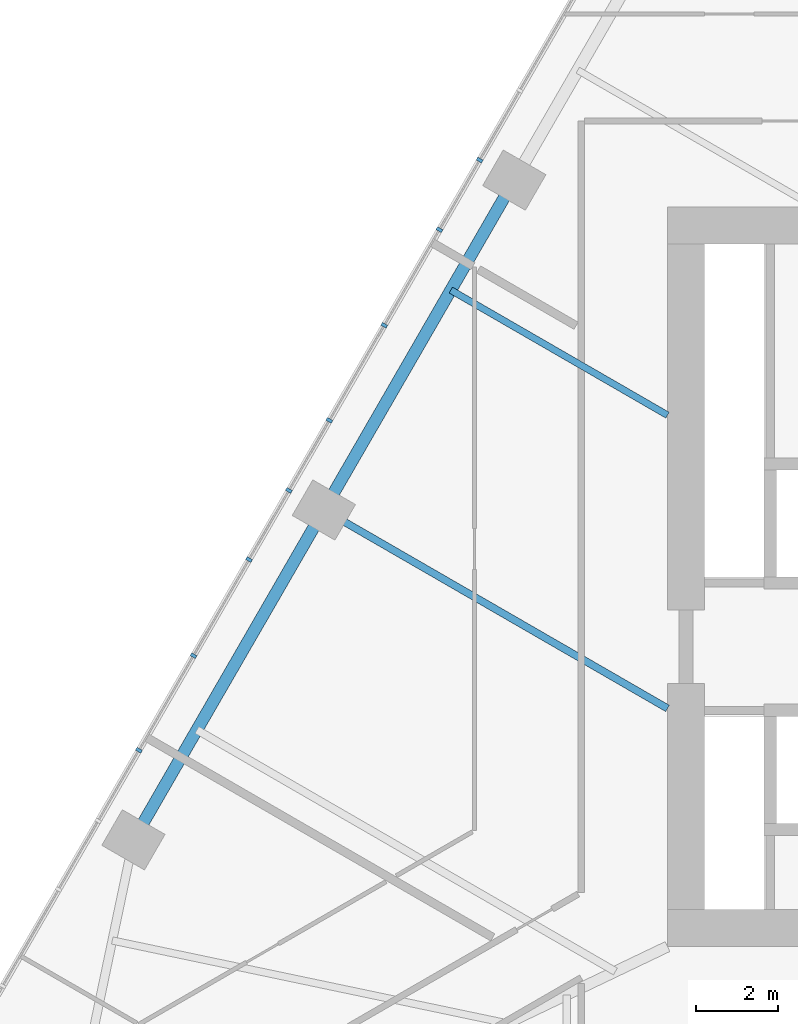
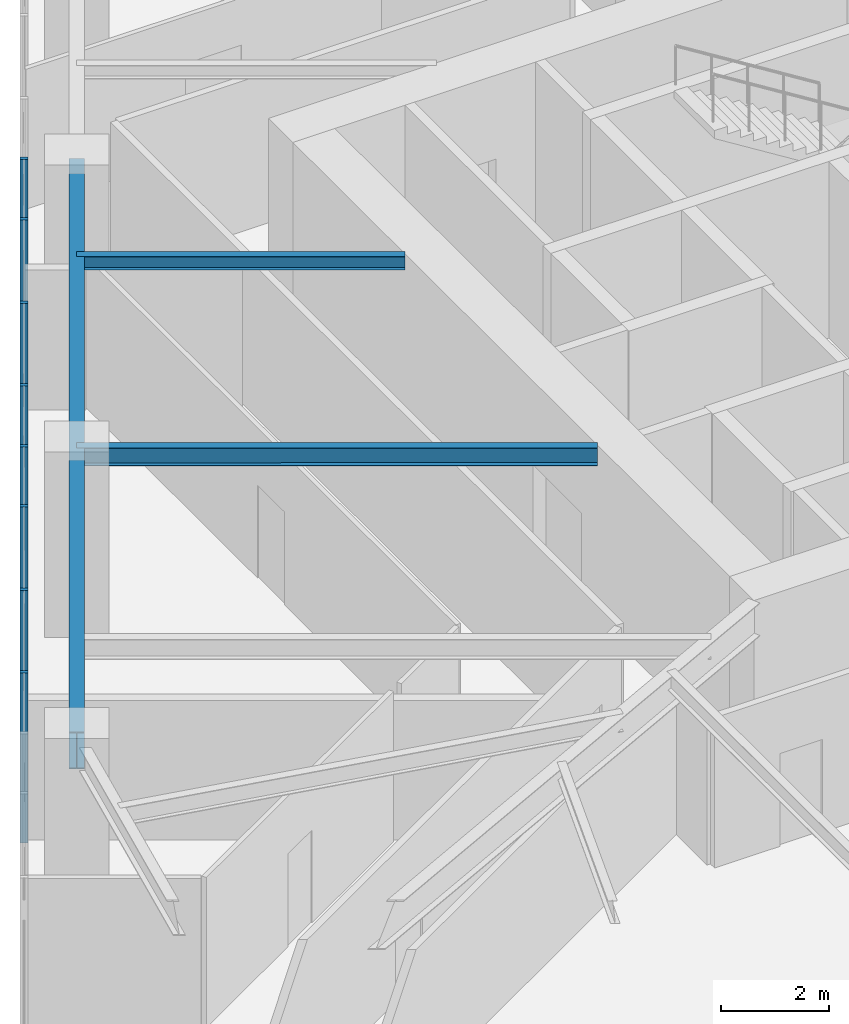
# One storey, part 4 of 22: 8 members, 3 beams, 1 element without a shape of its own.
"""IFC4 building model written with IfcOpenShell, lengths in metres."""

from ifc_helpers import new_model, si_unit, direction, frame, origin, origin_2d, place, context, subcontext, project, spatial, rectangle, i_section, extrude, material, layer, layer_set, material_profile, profile_set, type_object, element, aggregate, save


model = new_model("IFC4")

# Units and contexts
model_context = context("Model", 3, precision=1e-05, world=origin(), true_north=direction((0.0, 1.0)))
body_context = subcontext(model_context, "Body", "Model", "MODEL_VIEW")
ifc_project = project(units=[si_unit("LENGTHUNIT", "METRE"), si_unit("AREAUNIT", "SQUARE_METRE"), si_unit("VOLUMEUNIT", "CUBIC_METRE"), si_unit("PLANEANGLEUNIT", "RADIAN"), si_unit("MASSUNIT", "GRAM", prefix="KILO")], contexts=[model_context])

# Site, building, storey
site_placement = place(None, origin())
site = spatial("IfcSite", under=ifc_project, at=site_placement, CompositionType="ELEMENT")
building_placement = place(site_placement, origin())
building = spatial("IfcBuilding", under=site, at=building_placement, Name="Firuza Gate Tower and Library", CompositionType="ELEMENT")
storey_placement = place(building_placement, frame((0.0, 0.0, 128.199951171875)))
storey = spatial("IfcBuildingStorey", under=building, at=storey_placement, Name="L29", CompositionType="ELEMENT", Elevation=128.199951171875)

# Curtain wall, members
ifc_material_1 = material(Name="Aluminium 6063-T6", Category="aluminium")
ifc_layer = layer(ifc_material_1, 0.14990234375)
ifc_layer_set = layer_set([ifc_layer], Name="Unitised curtain wall, offices")
curtain_wall_type = type_object("IfcCurtainWallType", Name="Unitised curtain wall, offices", PredefinedType="NOTDEFINED", material=ifc_layer_set)
curtain_wall_placement = place(storey_placement, origin())
curtain_wall = element("IfcCurtainWall", 1, at=curtain_wall_placement, inside=storey, type_object=curtain_wall_type, Name="CW1 L29 W face", PredefinedType="NOTDEFINED")
ifc_material_2 = material(Name="Aluminium 6063-T6", Category="aluminium")
ifc_material_profile_1 = material_profile(ifc_material_2, rectangle(XDim=0.14990234375, YDim=0.080078125, at=origin_2d()))
ifc_profile_set_1 = profile_set([ifc_material_profile_1], Name="Aluminium 6063-T6")
member_type = type_object("IfcMemberType", Name="Curtain wall mullion 80x150", PredefinedType="MULLION", material=ifc_profile_set_1)
member_1_placement = place(storey_placement, frame((57.426513671875, 85.14599609375, 0.150146484375), z_axis=(0.0, 0.0, 1.0), x_axis=(0.866025403784, -0.5, 0.0)))
member_1 = element("IfcMember", 2, at=member_1_placement, type_object=member_type, Name="Mullion", PredefinedType="MULLION", context=body_context, shape_type="SweptSolid", body=[
    extrude(rectangle(XDim=0.14990234375, YDim=0.080078125, at=origin_2d()), origin(), (0.0, 0.0, 1.0), 3.849853515625),
])
member_2_placement = place(storey_placement, frame((55.10498046875, 81.124755859375, 0.150146484375), z_axis=(0.0, 0.0, 1.0), x_axis=(0.866025403784, -0.5, 0.0)))
member_2 = element("IfcMember", 3, at=member_2_placement, type_object=member_type, Name="Mullion", PredefinedType="MULLION", context=body_context, shape_type="SweptSolid", body=[
    extrude(rectangle(XDim=0.14990234375, YDim=0.080078125, at=origin_2d()), origin(), (0.0, 0.0, 1.0), 3.849853515625),
])
member_3_placement = place(storey_placement, frame((52.783203125, 77.103515625, 0.150146484375), z_axis=(0.0, 0.0, 1.0), x_axis=(0.866025403784, -0.5, 0.0)))
member_3 = element("IfcMember", 4, at=member_3_placement, type_object=member_type, Name="Mullion", PredefinedType="MULLION", context=body_context, shape_type="SweptSolid", body=[
    extrude(rectangle(XDim=0.14990234375, YDim=0.080078125, at=origin_2d()), origin(), (0.0, 0.0, 1.0), 3.849853515625),
])
member_4_placement = place(storey_placement, frame((50.461669921875, 73.082275390625, 0.150146484375), z_axis=(0.0, 0.0, 1.0), x_axis=(0.866025403784, -0.5, 0.0)))
member_4 = element("IfcMember", 5, at=member_4_placement, type_object=member_type, Name="Mullion", PredefinedType="MULLION", context=body_context, shape_type="SweptSolid", body=[
    extrude(rectangle(XDim=0.14990234375, YDim=0.080078125, at=origin_2d()), origin(), (0.0, 0.0, 1.0), 3.849853515625),
])
member_5_placement = place(storey_placement, frame((56.448486328125, 83.451904296875, 0.150146484375), z_axis=(0.0, 0.0, 1.0), x_axis=(0.866025403784, -0.5, 0.0)))
member_5 = element("IfcMember", 6, at=member_5_placement, type_object=member_type, Name="Mullion", PredefinedType="MULLION", context=body_context, shape_type="SweptSolid", body=[
    extrude(rectangle(XDim=0.14990234375, YDim=0.080078125, at=origin_2d()), origin(), (0.0, 0.0, 1.0), 3.849853515625),
])
member_6_placement = place(storey_placement, frame((53.7685546875, 78.81005859375, 0.150146484375), z_axis=(0.0, 0.0, 1.0), x_axis=(0.866025403784, -0.5, 0.0)))
member_6 = element("IfcMember", 7, at=member_6_placement, type_object=member_type, Name="Mullion", PredefinedType="MULLION", context=body_context, shape_type="SweptSolid", body=[
    extrude(rectangle(XDim=0.14990234375, YDim=0.080078125, at=origin_2d()), origin(), (0.0, 0.0, 1.0), 3.849853515625),
])
member_7_placement = place(storey_placement, frame((51.8125, 75.421875, 0.150146484375), z_axis=(0.0, 0.0, 1.0), x_axis=(0.866025403784, -0.5, 0.0)))
member_7 = element("IfcMember", 8, at=member_7_placement, type_object=member_type, Name="Mullion", PredefinedType="MULLION", context=body_context, shape_type="SweptSolid", body=[
    extrude(rectangle(XDim=0.14990234375, YDim=0.080078125, at=origin_2d()), origin(), (0.0, 0.0, 1.0), 3.849853515625),
])
member_8_placement = place(storey_placement, frame((49.13232421875, 70.780029296875, 0.150146484375), z_axis=(0.0, 0.0, 1.0), x_axis=(0.866025403784, -0.5, 0.0)))
member_8 = element("IfcMember", 9, at=member_8_placement, type_object=member_type, Name="Mullion", PredefinedType="MULLION", context=body_context, shape_type="SweptSolid", body=[
    extrude(rectangle(XDim=0.14990234375, YDim=0.080078125, at=origin_2d()), origin(), (0.0, 0.0, 1.0), 3.849853515625),
])
aggregate(curtain_wall, [member_1, member_2, member_3, member_4, member_5, member_6, member_7, member_8])

# Beams
ifc_material_3 = material(Name="Steel S355", Category="steel")
ifc_material_profile_2 = material_profile(ifc_material_3, i_section(OverallWidth=0.1650390625, OverallDepth=0.31005859375, WebThickness=0.005859375, FlangeThickness=0.009765625, at=origin_2d()))
ifc_profile_set_2 = profile_set([ifc_material_profile_2], Name="Steel S355")
beam_type_1 = type_object("IfcBeamType", Name="W310x39 Floor beam", PredefinedType="JOIST", material=ifc_profile_set_2)
beam_1_placement = place(storey_placement, frame((56.7255859375, 81.98193359375, 3.844970703125), z_axis=(0.866026709368, -0.499997738657, 0.0), x_axis=(0.499997738657, 0.866026709368, 0.0)))
element("IfcBeam", 10, at=beam_1_placement, inside=storey, type_object=beam_type_1, Name="Floor beam L29 s83", PredefinedType="JOIST", context=body_context, shape_type="SweptSolid", body=[
    extrude(i_section(OverallWidth=0.1650390625, OverallDepth=0.31005859375, WebThickness=0.005859375, FlangeThickness=0.009765625, at=origin_2d()), origin(), (0.0, 0.0, 1.0), 6.09033203125),
])
ifc_material_4 = material(Name="Steel S355", Category="steel")
ifc_material_profile_3 = material_profile(ifc_material_4, i_section(OverallWidth=0.177978515625, OverallDepth=0.406982421875, WebThickness=0.0078125, FlangeThickness=0.0126953125, at=origin_2d()))
ifc_profile_set_3 = profile_set([ifc_material_profile_3], Name="Steel S355")
beam_type_2 = type_object("IfcBeamType", Name="W410x60 Floor beam", PredefinedType="JOIST", material=ifc_profile_set_3)
beam_2_placement = place(storey_placement, frame((53.634765625, 76.62841796875, 3.796630859375), z_axis=(0.866029011319, -0.499993751515, 0.0), x_axis=(0.499993751515, 0.866029011319, 0.0)))
element("IfcBeam", 11, at=beam_2_placement, inside=storey, type_object=beam_type_2, Name="Floor beam L29 s84", PredefinedType="JOIST", context=body_context, shape_type="SweptSolid", body=[
    extrude(i_section(OverallWidth=0.177978515625, OverallDepth=0.406982421875, WebThickness=0.0078125, FlangeThickness=0.0126953125, at=origin_2d()), origin(), (0.0, 0.0, 1.0), 9.6591796875),
])
ifc_material_5 = material(Name="Steel S355", Category="steel")
ifc_material_profile_4 = material_profile(ifc_material_5, i_section(OverallWidth=0.2919921875, OverallDepth=0.8349609375, WebThickness=0.013916015625, FlangeThickness=0.018798828125, at=origin_2d()))
ifc_profile_set_4 = profile_set([ifc_material_profile_4], Name="Steel S355")
beam_type_3 = type_object("IfcBeamType", Name="W840x176 Edge beam", PredefinedType="SPANDREL", material=ifc_profile_set_4)
beam_3_placement = place(storey_placement, frame((58.27099609375, 84.658447265625, 3.58251953125), z_axis=(-0.499997478145, -0.866026859773, 0.0), x_axis=(0.866026859773, -0.499997478145, 0.0)))
element("IfcBeam", 12, at=beam_3_placement, inside=storey, type_object=beam_type_3, Name="Edge beam L29 e82", PredefinedType="SPANDREL", context=body_context, shape_type="SweptSolid", body=[
    extrude(i_section(OverallWidth=0.2919921875, OverallDepth=0.8349609375, WebThickness=0.013916015625, FlangeThickness=0.018798828125, at=origin_2d()), origin(), (0.0, 0.0, 1.0), 18.54443359375),
])

save(model, "model.ifc")
